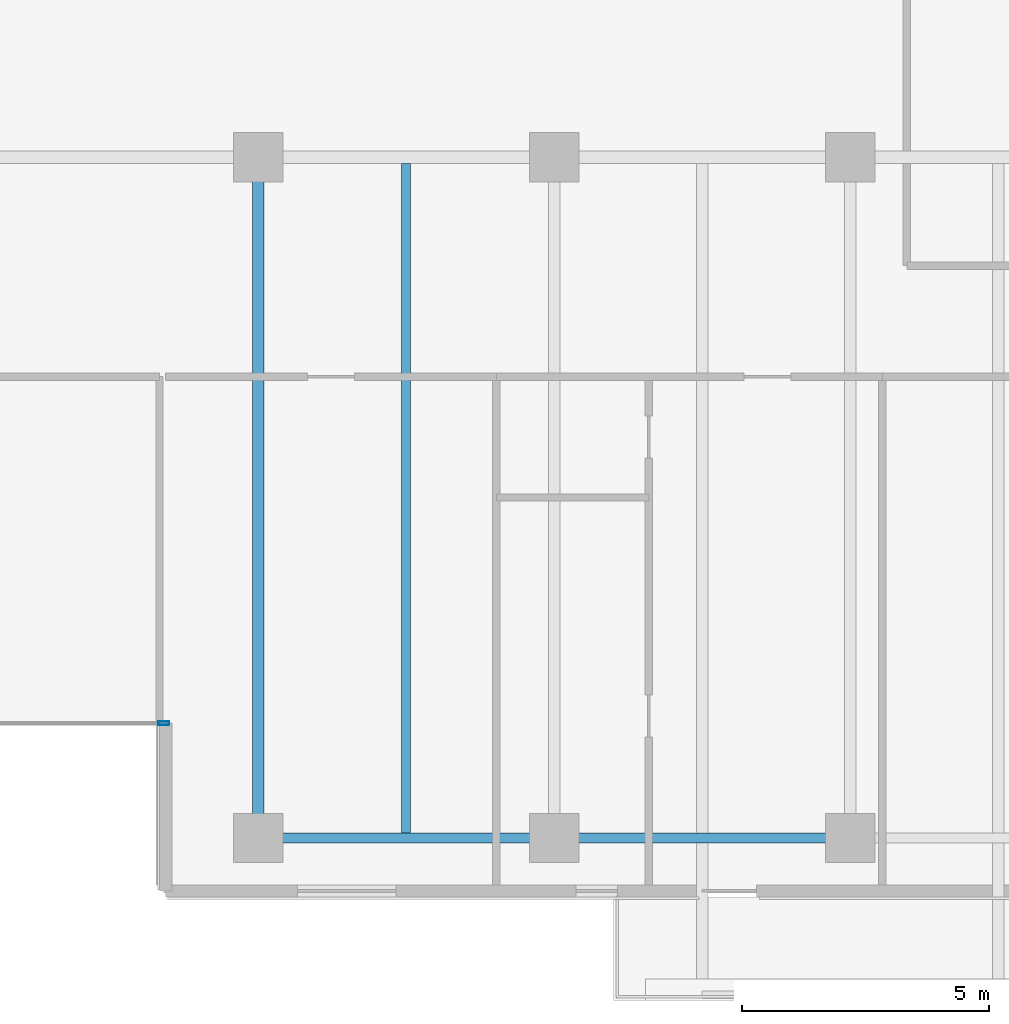
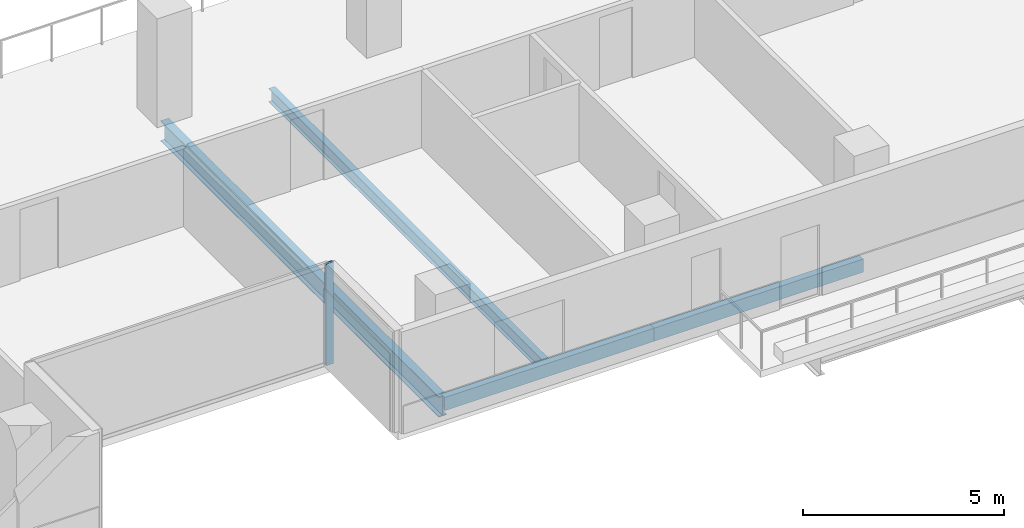
# One storey, part 4 of 23: 4 beams, 1 member, 1 element without a shape of its own.
"""IFC4 building model written with IfcOpenShell, lengths in metres."""

from ifc_helpers import new_model, si_unit, direction, frame, origin, origin_2d, place, context, subcontext, project, spatial, hollow_rectangle, i_section, extrude, material, layer, layer_set, material_profile, profile_set, type_object, element, aggregate, save


model = new_model("IFC4")

# Units and contexts
model_context = context("Model", 3, precision=1e-05, world=origin(), true_north=direction((0.0, 1.0)))
body_context = subcontext(model_context, "Body", "Model", "MODEL_VIEW")
ifc_project = project(units=[si_unit("LENGTHUNIT", "METRE"), si_unit("AREAUNIT", "SQUARE_METRE"), si_unit("VOLUMEUNIT", "CUBIC_METRE"), si_unit("PLANEANGLEUNIT", "RADIAN"), si_unit("MASSUNIT", "GRAM", prefix="KILO")], contexts=[model_context])

# Site, building, storey
site_placement = place(None, origin())
site = spatial("IfcSite", under=ifc_project, at=site_placement, CompositionType="ELEMENT")
building_placement = place(site_placement, origin())
building = spatial("IfcBuilding", under=site, at=building_placement, Name="Tanjung Sevakor Pilgrim Tower", CompositionType="ELEMENT")
storey_placement = place(building_placement, frame((0.0, 0.0, 82.169921875)))
storey = spatial("IfcBuildingStorey", under=building, at=storey_placement, Name="L22", CompositionType="ELEMENT", Elevation=82.169921875)

# Beams
ifc_material_1 = material(Name="Steel S355J2", Category="steel")
ifc_material_profile_1 = material_profile(ifc_material_1, i_section(OverallWidth=0.230224609375, OverallDepth=0.6171875, WebThickness=0.01318359375, FlangeThickness=0.022216796875, FilletRadius=0.0126953125, at=origin_2d()))
ifc_profile_set_1 = profile_set([ifc_material_profile_1], Name="Steel S355J2")
beam_type_1 = type_object("IfcBeamType", Name="BM-B-G3-UB_610x229x140", PredefinedType="BEAM", material=ifc_profile_set_1)
beam_1_placement = place(storey_placement, frame((54.0, 10.800048828125, -0.528564453125), z_axis=(0.0, 1.0, 0.0), x_axis=(-1.0, 0.0, 0.0)))
element("IfcBeam", 1, at=beam_1_placement, inside=storey, type_object=beam_type_1, Name="L22 MAIN Girder 012", PredefinedType="BEAM", context=body_context, shape_type="SweptSolid", body=[
    extrude(i_section(OverallWidth=0.230224609375, OverallDepth=0.6171875, WebThickness=0.01318359375, FlangeThickness=0.022216796875, FilletRadius=0.0126953125, at=origin_2d()), origin(), (0.0, 0.0, 1.0), 13.800048828125),
])
ifc_material_2 = material(Name="Steel S355J2", Category="steel")
ifc_material_profile_2 = material_profile(ifc_material_2, i_section(OverallWidth=0.1787109375, OverallDepth=0.409423828125, WebThickness=0.0087890625, FlangeThickness=0.014404296875, FilletRadius=0.01025390625, at=origin_2d()))
ifc_profile_set_2 = profile_set([ifc_material_profile_2], Name="Steel S355J2")
beam_type_2 = type_object("IfcBeamType", Name="BM-B-J3-UB_406x178x67", PredefinedType="JOIST", material=ifc_profile_set_2)
beam_2_placement = place(storey_placement, frame((57.0, 10.89990234375, -0.424560546875), z_axis=(0.0, 1.0, 0.0), x_axis=(-1.0, 0.0, 0.0)))
element("IfcBeam", 2, at=beam_2_placement, inside=storey, type_object=beam_type_2, Name="L22 MAIN Joist 014", PredefinedType="JOIST", context=body_context, shape_type="SweptSolid", body=[
    extrude(i_section(OverallWidth=0.1787109375, OverallDepth=0.409423828125, WebThickness=0.0087890625, FlangeThickness=0.014404296875, FilletRadius=0.01025390625, at=origin_2d()), origin(), (0.0, 0.0, 1.0), 13.57275390625),
])
ifc_material_3 = material(Name="Steel S355J2", Category="steel")
ifc_material_profile_3 = material_profile(ifc_material_3, hollow_rectangle(XDim=0.199951171875, YDim=0.39990234375, WallThickness=0.01611328125, at=origin_2d()))
ifc_profile_set_3 = profile_set([ifc_material_profile_3], Name="Steel S355J2")
beam_type_3 = type_object("IfcBeamType", Name="BM-B-SP2-RHS_400x200x16", PredefinedType="SPANDREL", material=ifc_profile_set_3)
for number, where, z_axis, x_axis, name in (
    (3, (54.0, 10.800048828125, -0.419921875), (1.0, 0.0, 0.0), (0.0, 1.0, 0.0), "L22 Spandrel MAIN S-07"),
    (4, (60.0, 10.800048828125, -0.419921875), (1.0, 0.0, 0.0), (0.0, 1.0, 0.0), "L22 Spandrel MAIN S-09"),
):
    element("IfcBeam", number, at=place(storey_placement, frame(where, z_axis=z_axis, x_axis=x_axis)), inside=storey, type_object=beam_type_3, Name=name, PredefinedType="SPANDREL", context=body_context, shape_type="SweptSolid", body=[
        extrude(hollow_rectangle(XDim=0.199951171875, YDim=0.39990234375, WallThickness=0.01611328125, at=origin_2d()), origin(), (0.0, 0.0, 1.0), 6.0),
    ])

# Curtain wall, member
ifc_material_4 = material(Name="Aluminium 6063-T6 and Low-E Glass", Category="aluminium")
ifc_layer = layer(ifc_material_4, 0.179931640625)
ifc_layer_set = layer_set([ifc_layer], Name="CW-SYS-CLEFT")
curtain_wall_type = type_object("IfcCurtainWallType", Name="CW-SYS-CLEFT", PredefinedType="NOTDEFINED", material=ifc_layer_set)
curtain_wall_placement = place(storey_placement, origin())
curtain_wall = element("IfcCurtainWall", 5, at=curtain_wall_placement, inside=storey, type_object=curtain_wall_type, Name="L22 Curtain Wall CW-CLF-L22-2", PredefinedType="NOTDEFINED")
ifc_material_5 = material(Name="Aluminium 6063-T6", Category="aluminium")
ifc_material_profile_4 = material_profile(ifc_material_5, hollow_rectangle(XDim=0.074951171875, YDim=0.219970703125, WallThickness=0.0048828125, at=origin_2d()))
ifc_profile_set_4 = profile_set([ifc_material_profile_4], Name="Aluminium 6063-T6")
member_type = type_object("IfcMemberType", Name="TYPE-CWM-2", PredefinedType="MULLION", material=ifc_profile_set_4)
member_placement = place(storey_placement, frame((52.08740234375, 13.125, 0.0), z_axis=(0.0, 0.0, 1.0), x_axis=(0.0, 1.0, 0.0)))
member = element("IfcMember", 6, at=member_placement, type_object=member_type, Name="CW-CLF mullion 2", PredefinedType="MULLION", context=body_context, shape_type="SweptSolid", body=[
    extrude(hollow_rectangle(XDim=0.074951171875, YDim=0.219970703125, WallThickness=0.0048828125, at=origin_2d()), origin(), (0.0, 0.0, 1.0), 3.080078125),
])
aggregate(curtain_wall, [member])

save(model, "model.ifc")
